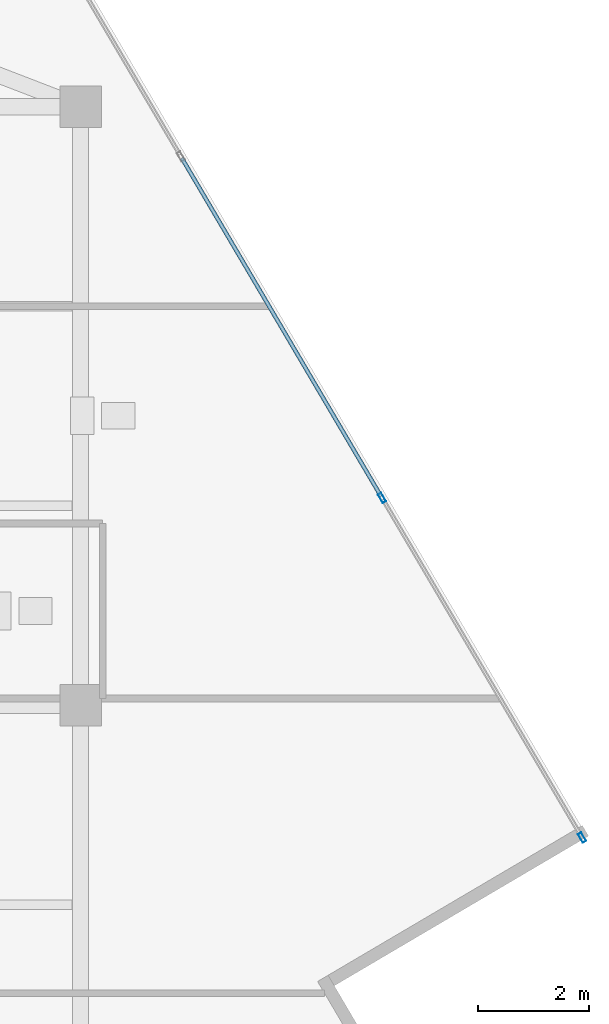
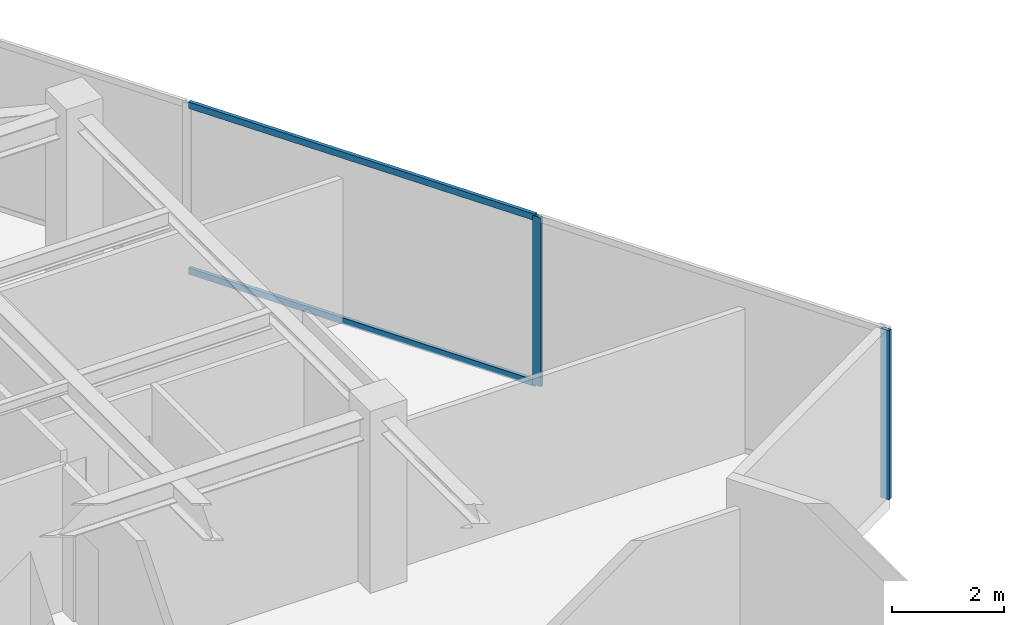
# One storey, part 10 of 20: 4 members, 1 element without a shape of its own.
"""IFC4 building model written with IfcOpenShell, lengths in metres."""

from ifc_helpers import new_model, si_unit, direction, frame, origin, origin_2d, place, context, subcontext, project, spatial, hollow_rectangle, extrude, source, transform, mapped, material, material_profile, profile_set, type_object, type_shapes, element, aggregate, save


model = new_model("IFC4")

# Units and contexts
model_context = context("Model", 3, precision=1e-05, world=origin(), true_north=direction((0.0, 1.0)))
body_context = subcontext(model_context, "Body", "Model", "MODEL_VIEW")
ifc_project = project(units=[si_unit("LENGTHUNIT", "METRE"), si_unit("AREAUNIT", "SQUARE_METRE"), si_unit("VOLUMEUNIT", "CUBIC_METRE"), si_unit("PLANEANGLEUNIT", "RADIAN"), si_unit("MASSUNIT", "GRAM", prefix="KILO")], contexts=[model_context])

# Site, building, storey
site_placement = place(None, origin())
site = spatial("IfcSite", under=ifc_project, at=site_placement, CompositionType="ELEMENT")
building_placement = place(site_placement, origin())
building = spatial("IfcBuilding", under=site, at=building_placement, Name="Krantzveldt Concourse Tower", CompositionType="ELEMENT")
storey_placement = place(building_placement, frame((0.0, 0.0, 299.0)))
storey = spatial("IfcBuildingStorey", under=building, at=storey_placement, Name="L73", CompositionType="ELEMENT", Elevation=299.0)

# Curtain wall, members
ifc_material = material(Name="Anodised aluminium 6063-T6", Category="aluminium")
curtain_wall_type = type_object("IfcCurtainWallType", Name="CW4", PredefinedType="USERDEFINED", material=ifc_material)
curtain_wall_placement = place(storey_placement, origin())
curtain_wall = element("IfcCurtainWall", 1, at=curtain_wall_placement, inside=storey, type_object=curtain_wall_type, Name="CW-L73-F10", ObjectType="UNITISED CURTAIN WALL", PredefinedType="USERDEFINED")
ifc_material_profile_1 = material_profile(ifc_material, hollow_rectangle(XDim=0.070068359375, YDim=0.179931640625, WallThickness=0.0048828125, at=origin_2d()), Name="Anodised aluminium 6063-T6", Category="aluminium")
ifc_profile_set_1 = profile_set([ifc_material_profile_1], Name="Anodised aluminium 6063-T6 - ALU-MULL 180x70x5")
member_type_1 = type_object("IfcMemberType", Name="CW-MUL-180", PredefinedType="MULLION", material=ifc_profile_set_1)
shared_shape_1 = source(origin(), body_context, "Body", "SweptSolid", [
    extrude(hollow_rectangle(XDim=0.070068359375, YDim=0.179931640625, WallThickness=0.0048828125, at=origin_2d()), origin(), (0.0, 0.0, 1.0), 3.669921875),
])
type_shapes(member_type_1, [shared_shape_1])
member_1_placement = place(storey_placement, frame((60.050537109375, 24.31103515625, 0.0), z_axis=(0.0, 0.0, 1.0), x_axis=(-0.861629171479, -0.507538344223, 0.0)))
member_1 = element("IfcMember", 2, at=member_1_placement, type_object=member_type_1, Name="CW-Z56 mullion 1", PredefinedType="MULLION", context=body_context, shape_type="MappedRepresentation", body=[
    mapped(shared_shape_1, transform((0.0, 0.0, 0.0), x_axis=(1.0, 0.0, 0.0), y_axis=(0.0, 1.0, 0.0), z_axis=(0.0, 0.0, 1.0), scale=1.0)),
])
member_2_placement = place(storey_placement, frame((56.439208984375, 30.44140625, 0.0), z_axis=(0.0, 0.0, 1.0), x_axis=(-0.861629171479, -0.507538344223, 0.0)))
member_2 = element("IfcMember", 3, at=member_2_placement, type_object=member_type_1, Name="CW-Z56 mullion 2", PredefinedType="MULLION", context=body_context, shape_type="MappedRepresentation", body=[
    mapped(shared_shape_1, transform((0.0, 0.0, 0.0), x_axis=(1.0, 0.0, 0.0), y_axis=(0.0, 1.0, 0.0), z_axis=(0.0, 0.0, 1.0), scale=1.0)),
])
ifc_material_profile_2 = material_profile(ifc_material, hollow_rectangle(XDim=0.070068359375, YDim=0.139892578125, WallThickness=0.0048828125, at=origin_2d()), Name="Anodised aluminium 6063-T6", Category="aluminium")
ifc_profile_set_2 = profile_set([ifc_material_profile_2], Name="Anodised aluminium 6063-T6 - ALU-TRAN 140x70x5")
member_type_2 = type_object("IfcMemberType", Name="CW-TRN-150", PredefinedType="USERDEFINED", material=ifc_profile_set_2)
shared_shape_2 = source(origin(), body_context, "Body", "SweptSolid", [
    extrude(hollow_rectangle(XDim=0.070068359375, YDim=0.139892578125, WallThickness=0.0048828125, at=origin_2d()), origin(), (0.0, 0.0, 1.0), 7.080078125),
])
type_shapes(member_type_2, [shared_shape_2])
member_3_placement = place(storey_placement, frame((56.421630859375, 30.4716796875, 0.034912109375), z_axis=(-0.507551986665, 0.861621135321, 0.0), x_axis=(-0.861621135321, -0.507551986665, 0.0)))
member_3 = element("IfcMember", 4, at=member_3_placement, type_object=member_type_2, Name="CW-Z56 transom 2.1", ObjectType="TRANSOM", PredefinedType="USERDEFINED", context=body_context, shape_type="MappedRepresentation", body=[
    mapped(shared_shape_2, transform((0.0, 0.0, 0.0), x_axis=(1.0, 0.0, 0.0), y_axis=(0.0, 1.0, 0.0), z_axis=(0.0, 0.0, 1.0), scale=1.0)),
])
member_4_placement = place(storey_placement, frame((56.421630859375, 30.4716796875, 3.635009765625), z_axis=(-0.507551986665, 0.861621135321, 0.0), x_axis=(-0.861621135321, -0.507551986665, 0.0)))
member_4 = element("IfcMember", 5, at=member_4_placement, type_object=member_type_2, Name="CW-Z56 transom 2.2", ObjectType="TRANSOM", PredefinedType="USERDEFINED", context=body_context, shape_type="MappedRepresentation", body=[
    mapped(shared_shape_2, transform((0.0, 0.0, 0.0), x_axis=(1.0, 0.0, 0.0), y_axis=(0.0, 1.0, 0.0), z_axis=(0.0, 0.0, 1.0), scale=1.0)),
])
aggregate(curtain_wall, [member_1, member_2, member_3, member_4])

save(model, "model.ifc")
